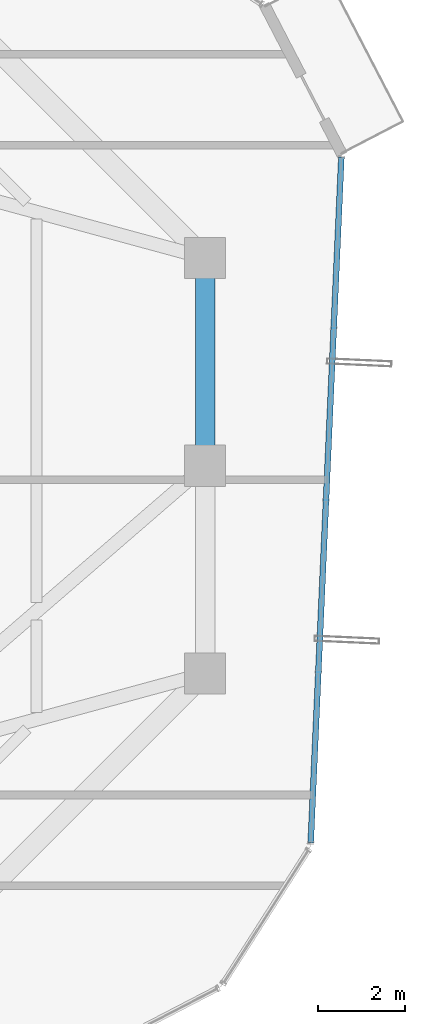
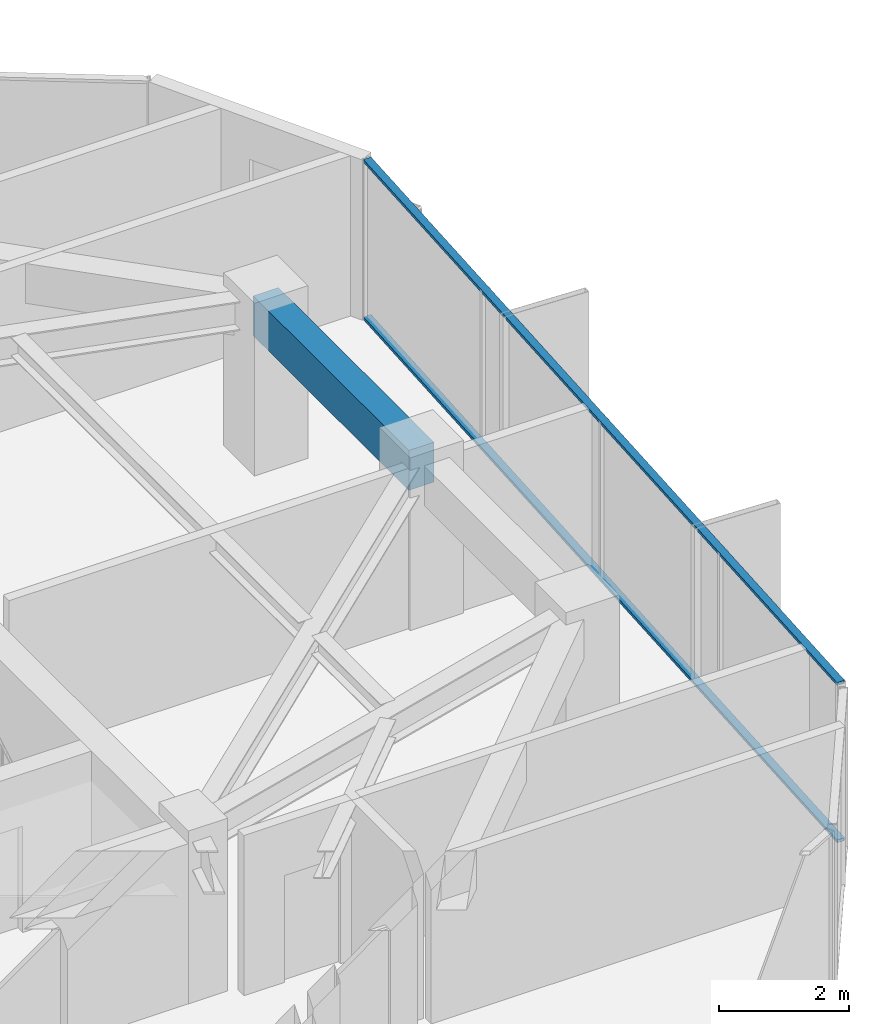
# One storey, part 16 of 29: 2 members, 1 beam, 1 element without a shape of its own.
"""IFC4 building model written with IfcOpenShell, lengths in metres."""

from ifc_helpers import new_model, si_unit, direction, frame, origin, origin_2d, place, context, subcontext, project, spatial, rectangle, hollow_rectangle, extrude, source, transform, mapped, material, layer, layer_set, material_profile, profile_set, type_object, element, aggregate, save


model = new_model("IFC4")

# Units and contexts
model_context = context("Model", 3, precision=1e-05, world=origin(), true_north=direction((0.0, 1.0)))
body_context = subcontext(model_context, "Body", "Model", "MODEL_VIEW")
ifc_project = project(units=[si_unit("LENGTHUNIT", "METRE"), si_unit("AREAUNIT", "SQUARE_METRE"), si_unit("VOLUMEUNIT", "CUBIC_METRE"), si_unit("PLANEANGLEUNIT", "RADIAN"), si_unit("MASSUNIT", "GRAM", prefix="KILO")], contexts=[model_context])

# Site, building, storey
site_placement = place(None, origin())
site = spatial("IfcSite", under=ifc_project, at=site_placement, CompositionType="ELEMENT")
building_placement = place(site_placement, origin())
building = spatial("IfcBuilding", under=site, at=building_placement, Name="Veraguas Prism Commons", CompositionType="ELEMENT")
storey_placement = place(building_placement, frame((0.0, 0.0, 215.64990234375)))
storey = spatial("IfcBuildingStorey", under=building, at=storey_placement, Name="L61", CompositionType="ELEMENT", Elevation=215.64990234375)

# Beam
ifc_material_1 = material(Name="Concrete C50/60", Category="concrete")
ifc_material_profile_1 = material_profile(ifc_material_1, rectangle(XDim=0.449951171875, YDim=0.75, at=origin_2d()), Name="RC450X750")
ifc_profile_set_1 = profile_set([ifc_material_profile_1], Name="Concrete C50/60")
beam_type = type_object("IfcBeamType", Name="Perimeter Spandrel Upper RC 450x750", PredefinedType="SPANDREL", material=ifc_profile_set_1)
beam_placement = place(storey_placement, frame((38.89990234375, 24.0, 2.64013671875), z_axis=(0.0, 1.0, 0.0), x_axis=(-1.0, 0.0, 0.0)))
element("IfcBeam", 1, at=beam_placement, inside=storey, type_object=beam_type, Name="Perimeter Spandrel Beam L61-SP02", PredefinedType="SPANDREL", context=body_context, shape_type="SweptSolid", body=[
    extrude(rectangle(XDim=0.449951171875, YDim=0.75, at=origin_2d()), origin(), (0.0, 0.0, 1.0), 4.800048828125),
])

# Curtain wall, members
ifc_material_2 = material(Name="Anodised aluminium EN AW-6063 T6", Category="aluminium")
ifc_layer = layer(ifc_material_2, 0.14990234375, Name="Unitised Flush Curtain Wall Zone 3", Category="aluminium")
ifc_layer_set = layer_set([ifc_layer], Name="Anodised aluminium EN AW-6063 T6")
curtain_wall_type = type_object("IfcCurtainWallType", Name="Unitised Flush Curtain Wall Zone 3", PredefinedType="NOTDEFINED", material=ifc_layer_set)
curtain_wall_placement = place(storey_placement, origin())
curtain_wall = element("IfcCurtainWall", 2, at=curtain_wall_placement, inside=storey, type_object=curtain_wall_type, Name="Tower Facade Curtain Wall L61-F6", PredefinedType="NOTDEFINED")
ifc_material_profile_2 = material_profile(ifc_material_2, hollow_rectangle(XDim=0.054931640625, YDim=0.135009765625, WallThickness=0.0029296875, at=origin_2d()), Name="AL55X135X3")
ifc_profile_set_2 = profile_set([ifc_material_profile_2], Name="Anodised aluminium EN AW-6063 T6")
member_type = type_object("IfcMemberType", Name="Curtain Wall Transom Standard AL 55x135x3", PredefinedType="USERDEFINED", material=ifc_profile_set_2)
shared_shape = source(origin(), body_context, "Body", "SweptSolid", [
    extrude(hollow_rectangle(XDim=0.054931640625, YDim=0.135009765625, WallThickness=0.0029296875, at=origin_2d()), origin(), (0.0, 0.0, 1.0), 15.842529296875),
])
member_1_placement = place(storey_placement, frame((41.338623046875, 15.295654296875, 0.027587890625), z_axis=(0.04467506177, 0.999001570998, 0.0), x_axis=(0.0, 0.0, 1.0)))
member_1 = element("IfcMember", 3, at=member_1_placement, type_object=member_type, Name="CW-Z3 Transom 1", ObjectType="TRANSOM", PredefinedType="USERDEFINED", context=body_context, shape_type="MappedRepresentation", body=[
    mapped(shared_shape, transform((0.0, 0.0, 0.0), scale=1.0)),
])
member_2_placement = place(storey_placement, frame((41.338623046875, 15.295654296875, 2.987548828125), z_axis=(0.04467506177, 0.999001570998, 0.0), x_axis=(0.0, 0.0, 1.0)))
member_2 = element("IfcMember", 4, at=member_2_placement, type_object=member_type, Name="CW-Z3 Transom 2", ObjectType="TRANSOM", PredefinedType="USERDEFINED", context=body_context, shape_type="MappedRepresentation", body=[
    mapped(shared_shape, transform((0.0, 0.0, 0.0), scale=1.0)),
])
aggregate(curtain_wall, [member_1, member_2])

save(model, "model.ifc")
